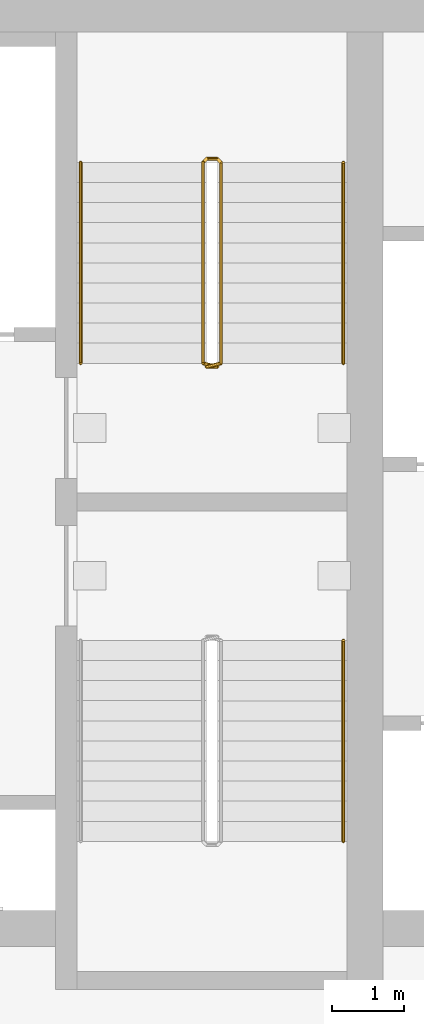
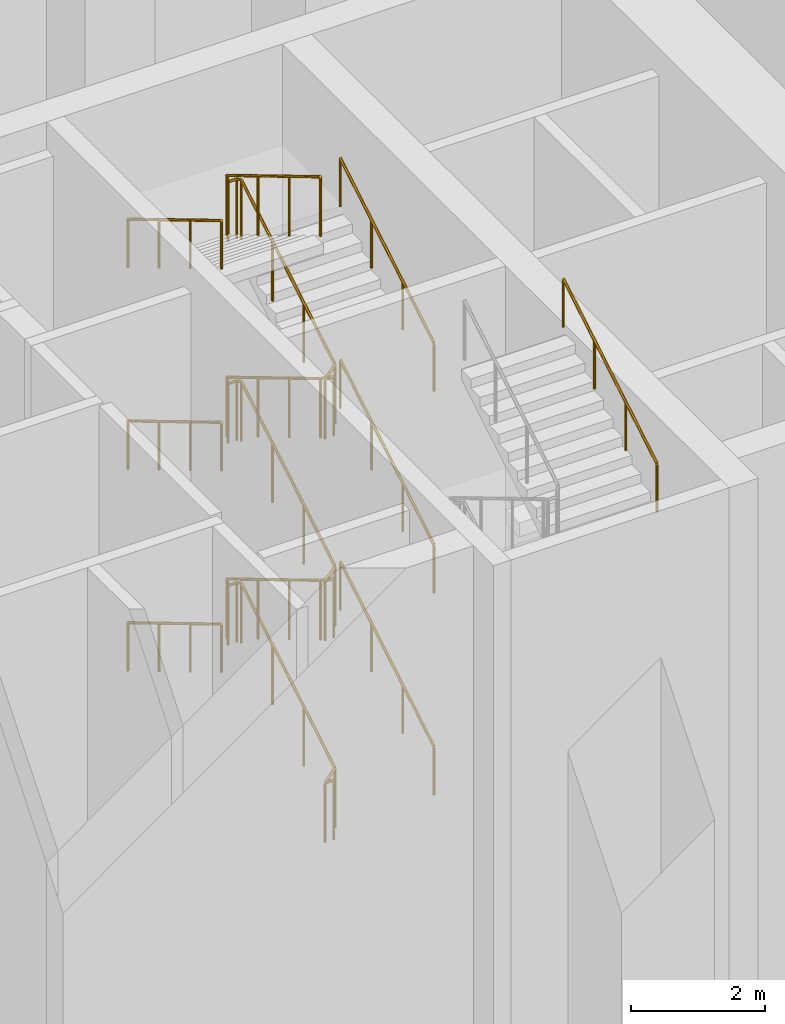
# One storey, part 26 of 31: 8 railings.
"""IFC4 building model written with IfcOpenShell, lengths in metres."""

from ifc_helpers import new_model, si_unit, direction, frame, origin, origin_2d, place, context, subcontext, project, spatial, circle, extrude, material, type_object, element, save


model = new_model("IFC4")

# Units and contexts
model_context = context("Model", 3, precision=1e-05, world=origin(), true_north=direction((0.0, 1.0)))
body_context = subcontext(model_context, "Body", "Model", "MODEL_VIEW")
ifc_project = project(units=[si_unit("LENGTHUNIT", "METRE"), si_unit("AREAUNIT", "SQUARE_METRE"), si_unit("VOLUMEUNIT", "CUBIC_METRE"), si_unit("PLANEANGLEUNIT", "RADIAN"), si_unit("MASSUNIT", "GRAM", prefix="KILO")], contexts=[model_context])

# Site, building, storey
site_placement = place(None, origin())
site = spatial("IfcSite", under=ifc_project, at=site_placement, CompositionType="ELEMENT")
building_placement = place(site_placement, origin())
building = spatial("IfcBuilding", under=site, at=building_placement, Name="Calabash Gate Tower", CompositionType="ELEMENT")
storey_placement = place(building_placement, frame((0.0, 0.0, 9.0)))
storey = spatial("IfcBuildingStorey", under=building, at=storey_placement, Name="L01", CompositionType="ELEMENT", Elevation=9.0)

# Railings
ifc_material_1 = material(Name="Black powder-coated steel balusters", Category="steel")
railing_type_1 = type_object("IfcRailingType", Name="Stair guard RL1100", PredefinedType="GUARDRAIL", material=ifc_material_1)
railing_1_placement = place(storey_placement, frame((10.300048828125, 13.902587890625, 0.0)))
element("IfcRailing", 1, at=railing_1_placement, inside=storey, type_object=railing_type_1, Name="L01 ST3 stair guard 1", PredefinedType="GUARDRAIL", context=body_context, shape_type="SweptSolid", body=[
    extrude(circle(Radius=0.02392578125, at=origin_2d()), frame((0.0, 0.0, 1.076171875), z_axis=(-1.0, 0.0, 0.0), x_axis=(0.0, -1.0, 0.0)), (0.0, 0.0, 1.0), 0.150146484375),
    extrude(circle(Radius=0.02392578125, at=origin_2d()), frame((-0.150146484375, 0.0, 1.076171875), z_axis=(0.75457900375, 0.188644750937, 0.628509097026), x_axis=(-0.242535625036, 0.970142500145, 0.0)), (0.0, 0.0, 1.0), 0.265380859375),
    extrude(circle(Radius=0.02392578125, at=origin_2d()), frame((0.050048828125, 0.050048828125, 1.24267578125), z_axis=(0.0, 0.858512034531, 0.512793415095), x_axis=(-1.0, 0.0, 0.0)), (0.0, 0.0, 1.0), 3.249755859375),
    extrude(circle(Radius=0.02392578125, at=origin_2d()), frame((0.050048828125, 2.840087890625, 2.9091796875), z_axis=(-0.708833529934, 0.705375805398, 0.0), x_axis=(-0.705375805398, -0.708833529934, 0.0)), (0.0, 0.0, 1.0), 0.070556640625),
    extrude(circle(Radius=0.02392578125, at=origin_2d()), frame((0.0, 2.889892578125, 2.9091796875), z_axis=(-1.0, 0.0, 0.0), x_axis=(0.0, -1.0, 0.0)), (0.0, 0.0, 1.0), 0.150146484375),
    extrude(circle(Radius=0.02392578125, at=origin_2d()), frame((-0.150146484375, 2.889892578125, 2.9091796875), z_axis=(-0.275143339093, -0.275143339093, 0.92119068922), x_axis=(0.707106781187, -0.707106781187, 0.0)), (0.0, 0.0, 1.0), 0.180908203125),
    extrude(circle(Radius=0.02392578125, at=origin_2d()), frame((-0.199951171875, 2.840087890625, 3.076171875), z_axis=(0.0, -0.858478961675, 0.512848781183), x_axis=(1.0, 0.0, 0.0)), (0.0, 0.0, 1.0), 3.25),
    extrude(circle(Radius=0.02392578125, at=origin_2d()), frame((-0.199951171875, 0.050048828125, 4.74267578125), z_axis=(0.970072785993, -0.242814311512, 0.0), x_axis=(0.242814311512, 0.970072785993, 0.0)), (0.0, 0.0, 1.0), 0.2060546875),
    extrude(circle(Radius=0.02392578125, at=origin_2d()), frame((0.0, 0.0, 4.74267578125), z_axis=(-1.0, 0.0, 0.0), x_axis=(0.0, -1.0, 0.0)), (0.0, 0.0, 1.0), 0.150146484375),
    extrude(circle(Radius=0.02392578125, at=origin_2d()), frame((-0.150146484375, 0.0, 4.74267578125), z_axis=(0.755015485205, 0.188753871301, 0.627951903548), x_axis=(-0.242535625036, 0.970142500145, 0.0)), (0.0, 0.0, 1.0), 0.26513671875),
    extrude(circle(Radius=0.02392578125, at=origin_2d()), frame((0.050048828125, 0.050048828125, 4.9091796875), z_axis=(0.0, 0.858478961675, 0.512848781183), x_axis=(-1.0, 0.0, 0.0)), (0.0, 0.0, 1.0), 3.25),
    extrude(circle(Radius=0.02392578125, at=origin_2d()), frame((0.050048828125, 2.840087890625, 6.576171875), z_axis=(-0.708833529934, 0.705375805398, 0.0), x_axis=(-0.705375805398, -0.708833529934, 0.0)), (0.0, 0.0, 1.0), 0.070556640625),
    extrude(circle(Radius=0.02392578125, at=origin_2d()), frame((0.0, 2.889892578125, 6.576171875), z_axis=(-1.0, 0.0, 0.0), x_axis=(0.0, -1.0, 0.0)), (0.0, 0.0, 1.0), 0.150146484375),
    extrude(circle(Radius=0.02392578125, at=origin_2d()), frame((-0.150146484375, 2.889892578125, 6.576171875), z_axis=(-0.275143339093, -0.275143339093, 0.92119068922), x_axis=(0.707106781187, -0.707106781187, 0.0)), (0.0, 0.0, 1.0), 0.180908203125),
    extrude(circle(Radius=0.02392578125, at=origin_2d()), frame((-0.199951171875, 2.840087890625, 6.74267578125), z_axis=(0.0, -0.858512034531, 0.512793415095), x_axis=(1.0, 0.0, 0.0)), (0.0, 0.0, 1.0), 3.249755859375),
    extrude(circle(Radius=0.02392578125, at=origin_2d()), frame((-0.199951171875, 0.050048828125, 8.4091796875), z_axis=(0.970072785993, -0.242814311512, 0.0), x_axis=(0.242814311512, 0.970072785993, 0.0)), (0.0, 0.0, 1.0), 0.2060546875),
    extrude(circle(Radius=0.02392578125, at=origin_2d()), frame((0.0, 0.0, 8.4091796875), z_axis=(-1.0, 0.0, 0.0), x_axis=(0.0, -1.0, 0.0)), (0.0, 0.0, 1.0), 0.150146484375),
    extrude(circle(Radius=0.02392578125, at=origin_2d()), frame((-0.150146484375, 0.0, 8.4091796875), z_axis=(0.75457900375, 0.188644750937, 0.628509097026), x_axis=(-0.242535625036, 0.970142500145, 0.0)), (0.0, 0.0, 1.0), 0.265380859375),
    extrude(circle(Radius=0.02392578125, at=origin_2d()), frame((0.050048828125, 0.050048828125, 8.576171875), z_axis=(0.0, 0.858478961675, 0.512848781183), x_axis=(-1.0, 0.0, 0.0)), (0.0, 0.0, 1.0), 3.25),
    extrude(circle(Radius=0.02392578125, at=origin_2d()), frame((0.050048828125, 2.840087890625, 10.24267578125), z_axis=(-0.708833529934, 0.705375805398, 0.0), x_axis=(-0.705375805398, -0.708833529934, 0.0)), (0.0, 0.0, 1.0), 0.070556640625),
    extrude(circle(Radius=0.02392578125, at=origin_2d()), frame((0.0, 2.889892578125, 10.24267578125), z_axis=(-1.0, 0.0, 0.0), x_axis=(0.0, -1.0, 0.0)), (0.0, 0.0, 1.0), 0.150146484375),
    extrude(circle(Radius=0.02392578125, at=origin_2d()), frame((-0.150146484375, 2.889892578125, 10.24267578125), z_axis=(-0.275485577735, -0.275485577735, 0.920986098114), x_axis=(0.707106781187, -0.707106781187, 0.0)), (0.0, 0.0, 1.0), 0.180908203125),
    extrude(circle(Radius=0.02392578125, at=origin_2d()), frame((-0.199951171875, 2.840087890625, 10.4091796875), z_axis=(0.0, -0.858478961675, 0.512848781183), x_axis=(1.0, 0.0, 0.0)), (0.0, 0.0, 1.0), 3.25),
    extrude(circle(Radius=0.02099609375, at=origin_2d()), origin(), (0.0, 0.0, 1.0), 1.052001953125),
    extrude(circle(Radius=0.02099609375, at=origin_2d()), frame((-0.150146484375, 0.0, 0.0)), (0.0, 0.0, 1.0), 1.052001953125),
    extrude(circle(Radius=0.02099609375, at=origin_2d()), frame((0.050048828125, 0.050048828125, 0.166748046875)), (0.0, 0.0, 1.0), 1.052001953125),
    extrude(circle(Radius=0.02099609375, at=origin_2d()), frame((0.050048828125, 0.97998046875, 0.72216796875)), (0.0, 0.0, 1.0), 1.052001953125),
    extrude(circle(Radius=0.02099609375, at=origin_2d()), frame((0.050048828125, 1.91015625, 1.27783203125)), (0.0, 0.0, 1.0), 1.052001953125),
    extrude(circle(Radius=0.02099609375, at=origin_2d()), frame((0.050048828125, 2.840087890625, 1.833251953125)), (0.0, 0.0, 1.0), 1.052001953125),
    extrude(circle(Radius=0.02099609375, at=origin_2d()), frame((0.0, 2.889892578125, 1.833251953125)), (0.0, 0.0, 1.0), 1.052001953125),
    extrude(circle(Radius=0.02099609375, at=origin_2d()), frame((-0.150146484375, 2.889892578125, 1.833251953125)), (0.0, 0.0, 1.0), 1.052001953125),
    extrude(circle(Radius=0.02099609375, at=origin_2d()), frame((-0.199951171875, 2.840087890625, 2.0)), (0.0, 0.0, 1.0), 1.052001953125),
    extrude(circle(Radius=0.02099609375, at=origin_2d()), frame((-0.199951171875, 1.91015625, 2.5556640625)), (0.0, 0.0, 1.0), 1.052001953125),
    extrude(circle(Radius=0.02099609375, at=origin_2d()), frame((-0.199951171875, 0.97998046875, 3.111083984375)), (0.0, 0.0, 1.0), 1.052001953125),
    extrude(circle(Radius=0.02099609375, at=origin_2d()), frame((-0.199951171875, 0.050048828125, 3.666748046875)), (0.0, 0.0, 1.0), 1.052001953125),
    extrude(circle(Radius=0.02099609375, at=origin_2d()), frame((0.0, 0.0, 3.666748046875)), (0.0, 0.0, 1.0), 1.052001953125),
    extrude(circle(Radius=0.02099609375, at=origin_2d()), frame((-0.150146484375, 0.0, 3.666748046875)), (0.0, 0.0, 1.0), 1.052001953125),
    extrude(circle(Radius=0.02099609375, at=origin_2d()), frame((0.050048828125, 0.050048828125, 3.833251953125)), (0.0, 0.0, 1.0), 1.052001953125),
    extrude(circle(Radius=0.02099609375, at=origin_2d()), frame((0.050048828125, 0.97998046875, 4.388916015625)), (0.0, 0.0, 1.0), 1.052001953125),
    extrude(circle(Radius=0.02099609375, at=origin_2d()), frame((0.050048828125, 1.91015625, 4.9443359375)), (0.0, 0.0, 1.0), 1.052001953125),
    extrude(circle(Radius=0.02099609375, at=origin_2d()), frame((0.050048828125, 2.840087890625, 5.5)), (0.0, 0.0, 1.0), 1.052001953125),
    extrude(circle(Radius=0.02099609375, at=origin_2d()), frame((0.0, 2.889892578125, 5.5)), (0.0, 0.0, 1.0), 1.052001953125),
    extrude(circle(Radius=0.02099609375, at=origin_2d()), frame((-0.150146484375, 2.889892578125, 5.5)), (0.0, 0.0, 1.0), 1.052001953125),
    extrude(circle(Radius=0.02099609375, at=origin_2d()), frame((-0.199951171875, 2.840087890625, 5.666748046875)), (0.0, 0.0, 1.0), 1.052001953125),
    extrude(circle(Radius=0.02099609375, at=origin_2d()), frame((-0.199951171875, 1.91015625, 6.22216796875)), (0.0, 0.0, 1.0), 1.052001953125),
    extrude(circle(Radius=0.02099609375, at=origin_2d()), frame((-0.199951171875, 0.97998046875, 6.77783203125)), (0.0, 0.0, 1.0), 1.052001953125),
    extrude(circle(Radius=0.02099609375, at=origin_2d()), frame((-0.199951171875, 0.050048828125, 7.333251953125)), (0.0, 0.0, 1.0), 1.052001953125),
    extrude(circle(Radius=0.02099609375, at=origin_2d()), frame((0.0, 0.0, 7.333251953125)), (0.0, 0.0, 1.0), 1.052001953125),
    extrude(circle(Radius=0.02099609375, at=origin_2d()), frame((-0.150146484375, 0.0, 7.333251953125)), (0.0, 0.0, 1.0), 1.052001953125),
    extrude(circle(Radius=0.02099609375, at=origin_2d()), frame((0.050048828125, 0.050048828125, 7.5)), (0.0, 0.0, 1.0), 1.052001953125),
    extrude(circle(Radius=0.02099609375, at=origin_2d()), frame((0.050048828125, 0.97998046875, 8.0556640625)), (0.0, 0.0, 1.0), 1.052001953125),
    extrude(circle(Radius=0.02099609375, at=origin_2d()), frame((0.050048828125, 1.91015625, 8.611083984375)), (0.0, 0.0, 1.0), 1.052001953125),
    extrude(circle(Radius=0.02099609375, at=origin_2d()), frame((0.050048828125, 2.840087890625, 9.166748046875)), (0.0, 0.0, 1.0), 1.052001953125),
    extrude(circle(Radius=0.02099609375, at=origin_2d()), frame((0.0, 2.889892578125, 9.166748046875)), (0.0, 0.0, 1.0), 1.052001953125),
    extrude(circle(Radius=0.02099609375, at=origin_2d()), frame((-0.150146484375, 2.889892578125, 9.166748046875)), (0.0, 0.0, 1.0), 1.052001953125),
    extrude(circle(Radius=0.02099609375, at=origin_2d()), frame((-0.199951171875, 2.840087890625, 9.333251953125)), (0.0, 0.0, 1.0), 1.052001953125),
    extrude(circle(Radius=0.02099609375, at=origin_2d()), frame((-0.199951171875, 1.91015625, 9.888916015625)), (0.0, 0.0, 1.0), 1.052001953125),
    extrude(circle(Radius=0.02099609375, at=origin_2d()), frame((-0.199951171875, 0.97998046875, 10.4443359375)), (0.0, 0.0, 1.0), 1.052001953125),
    extrude(circle(Radius=0.02099609375, at=origin_2d()), frame((-0.199951171875, 0.050048828125, 11.0)), (0.0, 0.0, 1.0), 1.052001953125),
])
ifc_material_2 = material(Name="Black powder-coated steel tube 48 mm", Category="steel")
railing_type_2 = type_object("IfcRailingType", Name="Stair handrail RL900", PredefinedType="HANDRAIL", material=ifc_material_2)
railing_2_placement = place(storey_placement, frame((12.050048828125, 13.95263671875, 0.166748046875)))
element("IfcRailing", 2, at=railing_2_placement, inside=storey, type_object=railing_type_2, Name="L01 ST3 stair handrail 1", PredefinedType="HANDRAIL", context=body_context, shape_type="SweptSolid", body=[
    extrude(circle(Radius=0.02392578125, at=origin_2d()), frame((0.0, 0.0, 0.8759765625), z_axis=(0.0, 0.858512034531, 0.512793415095), x_axis=(-1.0, 0.0, 0.0)), (0.0, 0.0, 1.0), 3.249755859375),
    extrude(circle(Radius=0.02099609375, at=origin_2d()), origin(), (0.0, 0.0, 1.0), 0.851806640625),
    extrude(circle(Radius=0.02099609375, at=origin_2d()), frame((0.0, 0.929931640625, 0.555419921875)), (0.0, 0.0, 1.0), 0.851806640625),
    extrude(circle(Radius=0.02099609375, at=origin_2d()), frame((0.0, 1.860107421875, 1.111083984375)), (0.0, 0.0, 1.0), 0.851806640625),
    extrude(circle(Radius=0.02099609375, at=origin_2d()), frame((0.0, 2.7900390625, 1.66650390625)), (0.0, 0.0, 1.0), 0.851806640625),
])
railing_3_placement = place(storey_placement, frame((8.39990234375, 16.74267578125, 2.0)))
element("IfcRailing", 3, at=railing_3_placement, inside=storey, type_object=railing_type_2, Name="L01 ST3 stair handrail 2", PredefinedType="HANDRAIL", context=body_context, shape_type="SweptSolid", body=[
    extrude(circle(Radius=0.02392578125, at=origin_2d()), frame((0.0, 0.0, 0.8759765625), z_axis=(0.0, -0.858478961675, 0.512848781183), x_axis=(1.0, 0.0, 0.0)), (0.0, 0.0, 1.0), 3.25),
    extrude(circle(Radius=0.02099609375, at=origin_2d()), origin(), (0.0, 0.0, 1.0), 0.851806640625),
    extrude(circle(Radius=0.02099609375, at=origin_2d()), frame((0.0, -0.929931640625, 0.5556640625)), (0.0, 0.0, 1.0), 0.851806640625),
    extrude(circle(Radius=0.02099609375, at=origin_2d()), frame((0.0, -1.860107421875, 1.111083984375)), (0.0, 0.0, 1.0), 0.851806640625),
    extrude(circle(Radius=0.02099609375, at=origin_2d()), frame((0.0, -2.7900390625, 1.666748046875)), (0.0, 0.0, 1.0), 0.851806640625),
])
railing_4_placement = place(storey_placement, frame((12.050048828125, 13.95263671875, 3.833251953125)))
element("IfcRailing", 4, at=railing_4_placement, inside=storey, type_object=railing_type_2, Name="L01 ST3 stair handrail 3", PredefinedType="HANDRAIL", context=body_context, shape_type="SweptSolid", body=[
    extrude(circle(Radius=0.02392578125, at=origin_2d()), frame((0.0, 0.0, 0.8759765625), z_axis=(0.0, 0.858478961675, 0.512848781183), x_axis=(-1.0, 0.0, 0.0)), (0.0, 0.0, 1.0), 3.25),
    extrude(circle(Radius=0.02099609375, at=origin_2d()), origin(), (0.0, 0.0, 1.0), 0.851806640625),
    extrude(circle(Radius=0.02099609375, at=origin_2d()), frame((0.0, 0.929931640625, 0.5556640625)), (0.0, 0.0, 1.0), 0.851806640625),
    extrude(circle(Radius=0.02099609375, at=origin_2d()), frame((0.0, 1.860107421875, 1.111083984375)), (0.0, 0.0, 1.0), 0.851806640625),
    extrude(circle(Radius=0.02099609375, at=origin_2d()), frame((0.0, 2.7900390625, 1.666748046875)), (0.0, 0.0, 1.0), 0.851806640625),
])
railing_5_placement = place(storey_placement, frame((8.39990234375, 16.74267578125, 5.666748046875)))
element("IfcRailing", 5, at=railing_5_placement, inside=storey, type_object=railing_type_2, Name="L01 ST3 stair handrail 4", PredefinedType="HANDRAIL", context=body_context, shape_type="SweptSolid", body=[
    extrude(circle(Radius=0.02392578125, at=origin_2d()), frame((0.0, 0.0, 0.8759765625), z_axis=(0.0, -0.858512034531, 0.512793415095), x_axis=(1.0, 0.0, 0.0)), (0.0, 0.0, 1.0), 3.249755859375),
    extrude(circle(Radius=0.02099609375, at=origin_2d()), origin(), (0.0, 0.0, 1.0), 0.851806640625),
    extrude(circle(Radius=0.02099609375, at=origin_2d()), frame((0.0, -0.929931640625, 0.555419921875)), (0.0, 0.0, 1.0), 0.851806640625),
    extrude(circle(Radius=0.02099609375, at=origin_2d()), frame((0.0, -1.860107421875, 1.111083984375)), (0.0, 0.0, 1.0), 0.851806640625),
    extrude(circle(Radius=0.02099609375, at=origin_2d()), frame((0.0, -2.7900390625, 1.66650390625)), (0.0, 0.0, 1.0), 0.851806640625),
])
railing_6_placement = place(storey_placement, frame((12.050048828125, 13.95263671875, 7.5)))
element("IfcRailing", 6, at=railing_6_placement, inside=storey, type_object=railing_type_2, Name="L01 ST3 stair handrail 5", PredefinedType="HANDRAIL", context=body_context, shape_type="SweptSolid", body=[
    extrude(circle(Radius=0.02392578125, at=origin_2d()), frame((0.0, 0.0, 0.8759765625), z_axis=(0.0, 0.858478961675, 0.512848781183), x_axis=(-1.0, 0.0, 0.0)), (0.0, 0.0, 1.0), 3.25),
    extrude(circle(Radius=0.02099609375, at=origin_2d()), origin(), (0.0, 0.0, 1.0), 0.851806640625),
    extrude(circle(Radius=0.02099609375, at=origin_2d()), frame((0.0, 0.929931640625, 0.5556640625)), (0.0, 0.0, 1.0), 0.851806640625),
    extrude(circle(Radius=0.02099609375, at=origin_2d()), frame((0.0, 1.860107421875, 1.111083984375)), (0.0, 0.0, 1.0), 0.851806640625),
    extrude(circle(Radius=0.02099609375, at=origin_2d()), frame((0.0, 2.7900390625, 1.666748046875)), (0.0, 0.0, 1.0), 0.851806640625),
])
railing_7_placement = place(storey_placement, frame((8.39990234375, 16.74267578125, 9.333251953125)))
element("IfcRailing", 7, at=railing_7_placement, inside=storey, type_object=railing_type_2, Name="L01 ST3 stair handrail 6", PredefinedType="HANDRAIL", context=body_context, shape_type="SweptSolid", body=[
    extrude(circle(Radius=0.02392578125, at=origin_2d()), frame((0.0, 0.0, 0.8759765625), z_axis=(0.0, -0.858478961675, 0.512848781183), x_axis=(1.0, 0.0, 0.0)), (0.0, 0.0, 1.0), 3.25),
    extrude(circle(Radius=0.02099609375, at=origin_2d()), origin(), (0.0, 0.0, 1.0), 0.851806640625),
    extrude(circle(Radius=0.02099609375, at=origin_2d()), frame((0.0, -0.929931640625, 0.5556640625)), (0.0, 0.0, 1.0), 0.851806640625),
    extrude(circle(Radius=0.02099609375, at=origin_2d()), frame((0.0, -1.860107421875, 1.111083984375)), (0.0, 0.0, 1.0), 0.851806640625),
    extrude(circle(Radius=0.02099609375, at=origin_2d()), frame((0.0, -2.7900390625, 1.666748046875)), (0.0, 0.0, 1.0), 0.851806640625),
])
railing_8_placement = place(storey_placement, frame((12.050048828125, 7.3125, 9.333251953125)))
element("IfcRailing", 8, at=railing_8_placement, inside=storey, type_object=railing_type_2, Name="L01 ST4 stair handrail 6", PredefinedType="HANDRAIL", context=body_context, shape_type="SweptSolid", body=[
    extrude(circle(Radius=0.02392578125, at=origin_2d()), frame((0.0, 0.0, 0.8759765625), z_axis=(0.0, 0.858478961675, 0.512848781183), x_axis=(-1.0, 0.0, 0.0)), (0.0, 0.0, 1.0), 3.25),
    extrude(circle(Radius=0.02099609375, at=origin_2d()), origin(), (0.0, 0.0, 1.0), 0.851806640625),
    extrude(circle(Radius=0.02099609375, at=origin_2d()), frame((0.0, 0.929931640625, 0.5556640625)), (0.0, 0.0, 1.0), 0.851806640625),
    extrude(circle(Radius=0.02099609375, at=origin_2d()), frame((0.0, 1.860107421875, 1.111083984375)), (0.0, 0.0, 1.0), 0.851806640625),
    extrude(circle(Radius=0.02099609375, at=origin_2d()), frame((0.0, 2.7900390625, 1.666748046875)), (0.0, 0.0, 1.0), 0.851806640625),
])

save(model, "model.ifc")
